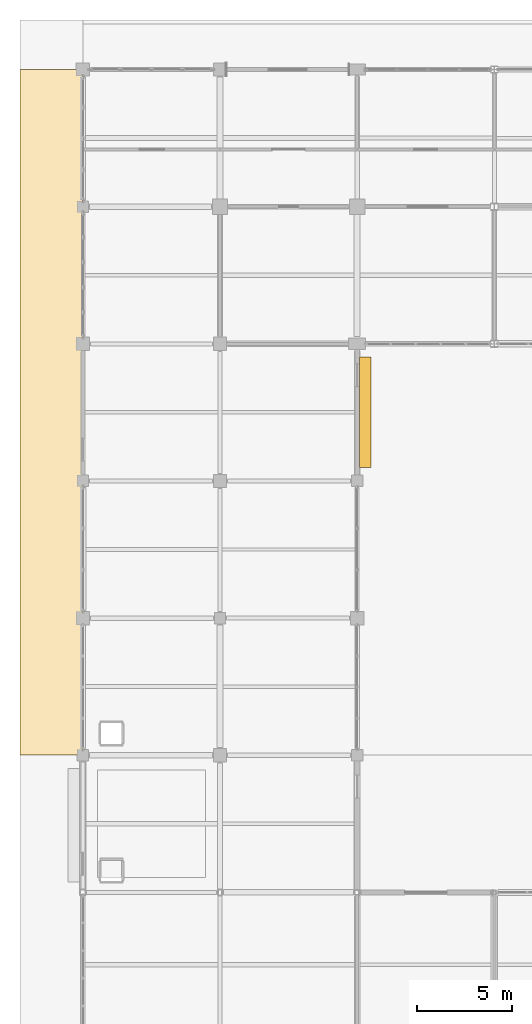
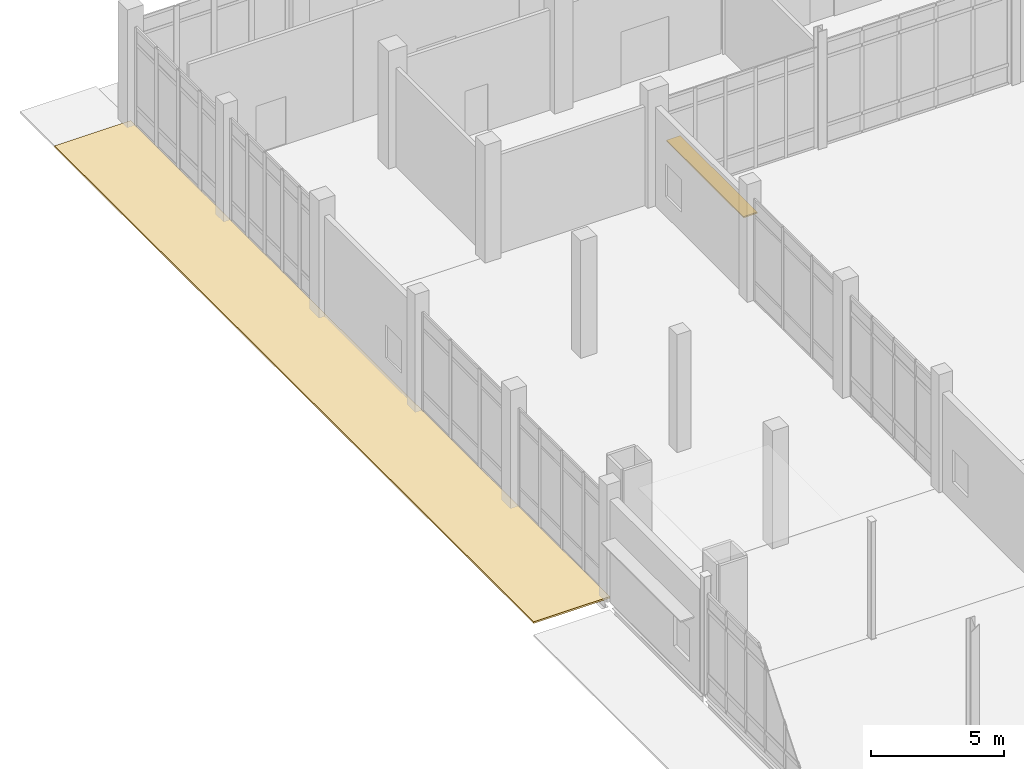
# One storey, part 215 of 229: 1 covering, 1 shading device.
"""IFC4 building model written with IfcOpenShell, lengths in metres."""

from ifc_helpers import new_model, si_unit, direction, frame, origin, origin_2d, place, context, subcontext, project, spatial, polyline, rectangle, outline, extrude, material, layer, layer_set, type_object, element, save


model = new_model("IFC4")

# Units and contexts
model_context = context("Model", 3, precision=1e-05, world=origin(), true_north=direction((0.0, 1.0)))
body_context = subcontext(model_context, "Body", "Model", "MODEL_VIEW")
ifc_project = project(units=[si_unit("LENGTHUNIT", "METRE"), si_unit("AREAUNIT", "SQUARE_METRE"), si_unit("VOLUMEUNIT", "CUBIC_METRE"), si_unit("PLANEANGLEUNIT", "RADIAN"), si_unit("MASSUNIT", "GRAM", prefix="KILO")], contexts=[model_context])

# Site, building, storey
site_placement = place(None, origin())
site = spatial("IfcSite", under=ifc_project, at=site_placement, CompositionType="ELEMENT")
building_placement = place(site_placement, origin())
building = spatial("IfcBuilding", under=site, at=building_placement, Name="Calvrana Isthmian Art Gallery", CompositionType="ELEMENT")
storey_placement = place(building_placement, origin())
storey = spatial("IfcBuildingStorey", under=building, at=storey_placement, Name="L00", CompositionType="ELEMENT", Elevation=0.0)

# Covering
ifc_material_1 = material(Name="Pale Isthmian limestone", Category="masonry")
ifc_layer_1 = layer(ifc_material_1, 0.080078125, Name="Pale Isthmian limestone")
ifc_layer_set_1 = layer_set([ifc_layer_1], Name="Pale Isthmian limestone")
covering_type = type_object("IfcCoveringType", Name="COV-SITE-PAVING", PredefinedType="USERDEFINED", material=ifc_layer_set_1)
covering_placement = place(storey_placement, frame((0.0, 0.0, -0.080078125)))
element("IfcCovering", 1, at=covering_placement, inside=storey, type_object=covering_type, Name="Stepped hillside grade paving bench PAV_W_NTH", ObjectType="PAVING", PredefinedType="USERDEFINED", context=body_context, shape_type="SweptSolid", body=[
    extrude(outline(polyline([(-3.300048828125, 76.800048828125), (0.001953125, 76.800048828125), (0.001953125, 112.800048828125), (-3.300048828125, 112.800048828125), (-3.300048828125, 76.800048828125)])), origin(), (0.0, 0.0, 1.0), 0.080078125),
])

# Shading device
ifc_material_2 = material(Name="Anodized bronze aluminium 6063-T6", Category="aluminium")
ifc_layer_2 = layer(ifc_material_2, 0.06005859375, Name="Anodized bronze aluminium 6063-T6")
ifc_layer_set_2 = layer_set([ifc_layer_2], Name="Anodized bronze aluminium 6063-T6")
shading_device_type = type_object("IfcShadingDeviceType", Name="SHD-LOUVRE-600", PredefinedType="JALOUSIE", material=ifc_layer_set_2)
shading_device_placement = place(storey_placement, frame((14.822998046875, 94.800048828125, 3.119873046875), z_axis=(0.0, 0.0, 1.0), x_axis=(0.0, -1.0, 0.0)))
element("IfcShadingDevice", 2, at=shading_device_placement, inside=storey, type_object=shading_device_type, Name="Anodized bronze horizontal canopy sunshade LV-09", PredefinedType="JALOUSIE", context=body_context, shape_type="SweptSolid", body=[
    extrude(rectangle(XDim=5.800048828125, YDim=0.60009765625, at=origin_2d()), origin(), (0.0, 0.0, 1.0), 0.06005859375),
])

save(model, "model.ifc")
